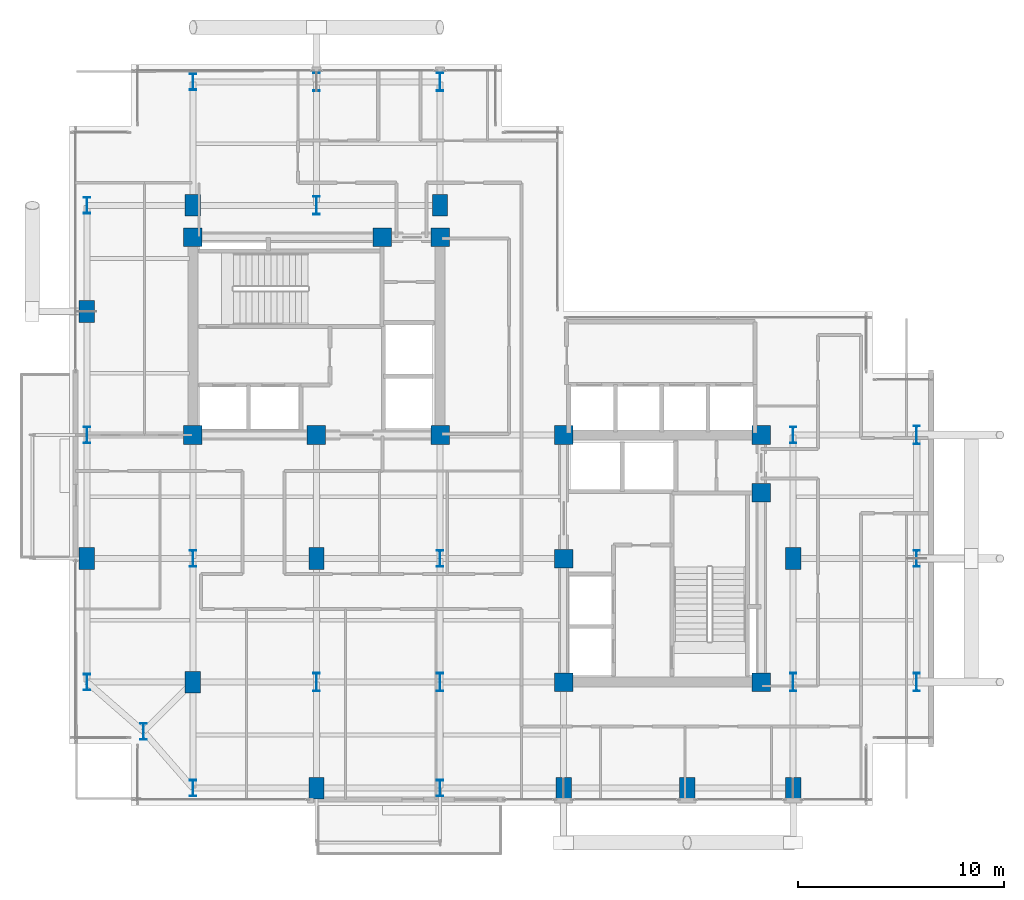
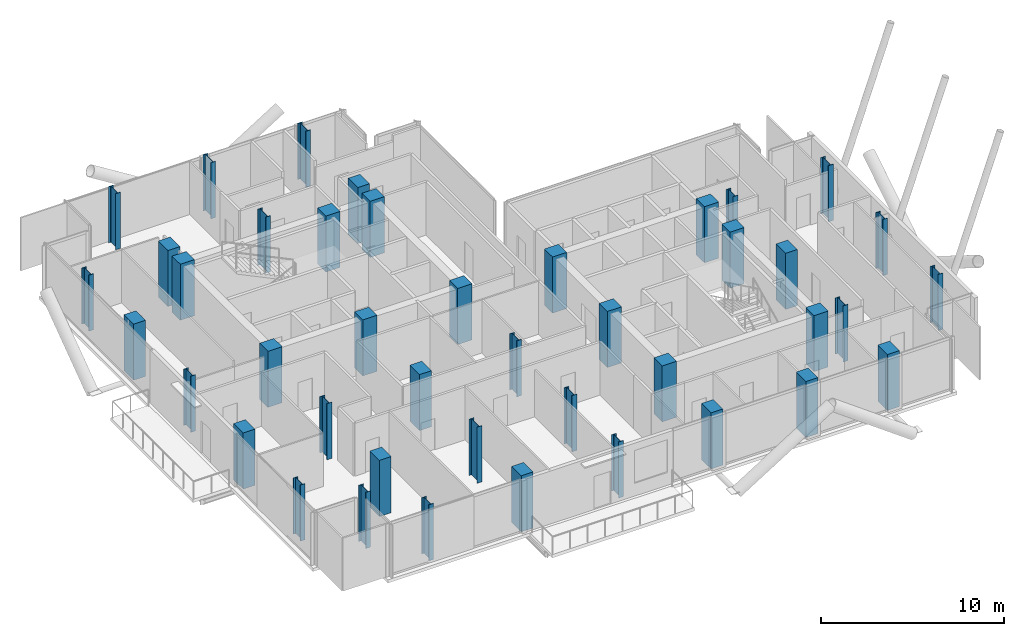
# One storey, part 1 of 22: 42 columns.
"""IFC4 building model written with IfcOpenShell, lengths in metres."""

from ifc_helpers import new_model, si_unit, direction, frame, origin, origin_2d, place, context, subcontext, project, spatial, rectangle, i_section, extrude, material, material_profile, profile_set, type_object, element, save


model = new_model("IFC4")

# Units and contexts
model_context = context("Model", 3, precision=1e-05, world=origin(), true_north=direction((0.0, 1.0)))
body_context = subcontext(model_context, "Body", "Model", "MODEL_VIEW")
ifc_project = project(units=[si_unit("LENGTHUNIT", "METRE"), si_unit("AREAUNIT", "SQUARE_METRE"), si_unit("VOLUMEUNIT", "CUBIC_METRE"), si_unit("PLANEANGLEUNIT", "RADIAN"), si_unit("MASSUNIT", "GRAM", prefix="KILO"), si_unit("THERMODYNAMICTEMPERATUREUNIT", "KELVIN"), si_unit("POWERUNIT", "WATT")], contexts=[model_context])

# Site, building, storey
site_placement = place(None, origin())
site = spatial("IfcSite", under=ifc_project, at=site_placement, CompositionType="ELEMENT")
building_placement = place(site_placement, origin())
building = spatial("IfcBuilding", under=site, at=building_placement, Name="Svarakhadi Broadcast Tower", CompositionType="ELEMENT")
storey_placement = place(building_placement, frame((0.0, 0.0, 191.699951171875)))
storey = spatial("IfcBuildingStorey", under=building, at=storey_placement, Name="L47", CompositionType="ELEMENT", Elevation=191.699951171875)

# Columns
ifc_material_1 = material(Name="Concrete C50/60 (IS 456 M60)", Category="concrete")
ifc_material_profile_1 = material_profile(ifc_material_1, rectangle(XDim=0.75, YDim=1.050048828125, at=origin_2d()), Name="RC 750x1050")
ifc_profile_set_1 = profile_set([ifc_material_profile_1], Name="Concrete C50/60 (IS 456 M60)")
column_type_1 = type_object("IfcColumnType", Name="Col_RC750", PredefinedType="COLUMN", material=ifc_profile_set_1)
for number, where, z_axis, x_axis, name in (
    (1, (0.85009765625, 12.0, 0.0), (0.0, 0.0, 1.0), (1.0, 0.0, 0.0), "L47 Column G04"),
    (2, (0.85009765625, 24.0, 0.0), (0.0, 0.0, 1.0), (1.0, 0.0, 0.0), "L47 Column G06"),
    (3, (6.0, 6.0, 0.0), (0.0, 0.0, 1.0), (1.0, 0.0, 0.0), "L47 Column G12"),
    (4, (6.0, 29.14990234375, 0.0), (0.0, 0.0, 1.0), (1.0, 0.0, 0.0), "L47 Column G14"),
    (5, (12.0, 0.85009765625, 0.0), (0.0, 0.0, 1.0), (1.0, 0.0, 0.0), "L47 Column G18"),
    (6, (12.0, 12.0, 0.0), (0.0, 0.0, 1.0), (1.0, 0.0, 0.0), "L47 Column G20"),
    (7, (18.0, 29.14990234375, 0.0), (0.0, 0.0, 1.0), (1.0, 0.0, 0.0), "L47 Column G28"),
    (8, (24.0, 0.85009765625, 0.0), (0.0, 0.0, 1.0), (1.0, 0.0, 0.0), "L47 Column G32"),
    (9, (30.0, 0.85009765625, 0.0), (0.0, 0.0, 1.0), (1.0, 0.0, 0.0), "L47 Column G36"),
    (10, (35.14990234375, 0.85009765625, 0.0), (0.0, 0.0, 1.0), (1.0, 0.0, 0.0), "L47 Column G38"),
    (11, (35.14990234375, 12.0, 0.0), (0.0, 0.0, 1.0), (1.0, 0.0, 0.0), "L47 Column G40"),
):
    element("IfcColumn", number, at=place(storey_placement, frame(where, z_axis=z_axis, x_axis=x_axis)), inside=storey, type_object=column_type_1, Name=name, PredefinedType="COLUMN", context=body_context, shape_type="SweptSolid", body=[
        extrude(rectangle(XDim=0.75, YDim=1.050048828125, at=origin_2d()), origin(), (0.0, 0.0, 1.0), 3.75),
    ])
ifc_material_profile_2 = material_profile(ifc_material_1, rectangle(XDim=0.89990234375, YDim=0.89990234375, at=origin_2d()), Name="RC 900x900")
ifc_profile_set_2 = profile_set([ifc_material_profile_2], Name="Concrete C50/60 (IS 456 M60)")
column_type_2 = type_object("IfcColumnType", Name="Col_RC900", PredefinedType="COLUMN", material=ifc_profile_set_2)
for number, where, z_axis, x_axis, name in (
    (12, (6.0, 18.0, 0.0), (0.0, 0.0, 1.0), (1.0, 0.0, 0.0), "L47 Column CW1"),
    (13, (12.0, 18.0, 0.0), (0.0, 0.0, 1.0), (1.0, 0.0, 0.0), "L47 Column CW2"),
    (14, (18.0, 18.0, 0.0), (0.0, 0.0, 1.0), (1.0, 0.0, 0.0), "L47 Column CW3"),
    (15, (6.0, 27.60009765625, 0.0), (0.0, 0.0, 1.0), (1.0, 0.0, 0.0), "L47 Column CW4"),
    (16, (15.199951171875, 27.60009765625, 0.0), (0.0, 0.0, 1.0), (1.0, 0.0, 0.0), "L47 Column CW5"),
    (17, (18.0, 27.60009765625, 0.0), (0.0, 0.0, 1.0), (1.0, 0.0, 0.0), "L47 Column CW6"),
    (18, (24.0, 6.0, 0.0), (0.0, 0.0, 1.0), (1.0, 0.0, 0.0), "L47 Column CE1"),
    (19, (24.0, 12.0, 0.0), (0.0, 0.0, 1.0), (1.0, 0.0, 0.0), "L47 Column CE2"),
    (20, (24.0, 18.0, 0.0), (0.0, 0.0, 1.0), (1.0, 0.0, 0.0), "L47 Column CE3"),
    (21, (33.60009765625, 6.0, 0.0), (0.0, 0.0, 1.0), (1.0, 0.0, 0.0), "L47 Column CE4"),
    (22, (33.60009765625, 15.199951171875, 0.0), (0.0, 0.0, 1.0), (1.0, 0.0, 0.0), "L47 Column CE5"),
    (23, (33.60009765625, 18.0, 0.0), (0.0, 0.0, 1.0), (1.0, 0.0, 0.0), "L47 Column CE6"),
):
    element("IfcColumn", number, at=place(storey_placement, frame(where, z_axis=z_axis, x_axis=x_axis)), inside=storey, type_object=column_type_2, Name=name, PredefinedType="COLUMN", context=body_context, shape_type="SweptSolid", body=[
        extrude(rectangle(XDim=0.89990234375, YDim=0.89990234375, at=origin_2d()), origin(), (0.0, 0.0, 1.0), 3.75),
    ])
ifc_material_2 = material(Name="Steel S460ML (IS 2062 E450BR)", Category="steel")
ifc_material_profile_3 = material_profile(ifc_material_2, i_section(OverallWidth=0.300048828125, OverallDepth=0.800048828125, WebThickness=0.017578125, FlangeThickness=0.032958984375, FilletRadius=0.030029296875, at=origin_2d()), Name="WPB 800x300x262")
ifc_profile_set_3 = profile_set([ifc_material_profile_3], Name="Steel S460ML (IS 2062 E450BR)")
column_type_3 = type_object("IfcColumnType", Name="Col_WPB800", PredefinedType="COLUMN", material=ifc_profile_set_3)
for number, where, z_axis, x_axis, name in (
    (24, (3.60009765625, 3.60009765625, 0.0), (0.0, 0.0, 1.0), (1.0, 0.0, 0.0), "L47 Column G01"),
    (25, (0.85009765625, 6.0, 0.0), (0.0, 0.0, 1.0), (1.0, 0.0, 0.0), "L47 Column G03"),
    (26, (0.85009765625, 18.0, 0.0), (0.0, 0.0, 1.0), (1.0, 0.0, 0.0), "L47 Column G05"),
    (27, (0.85009765625, 29.14990234375, 0.0), (0.0, 0.0, 1.0), (1.0, 0.0, 0.0), "L47 Column G07"),
    (28, (6.0, 0.85009765625, 0.0), (0.0, 0.0, 1.0), (1.0, 0.0, 0.0), "L47 Column G11"),
    (29, (6.0, 12.0, 0.0), (0.0, 0.0, 1.0), (1.0, 0.0, 0.0), "L47 Column G13"),
    (30, (6.0, 35.14990234375, 0.0), (0.0, 0.0, 1.0), (1.0, 0.0, 0.0), "L47 Column G15"),
    (31, (18.0, 0.85009765625, 0.0), (0.0, 0.0, 1.0), (1.0, 0.0, 0.0), "L47 Column G25"),
    (32, (18.0, 12.0, 0.0), (0.0, 0.0, 1.0), (1.0, 0.0, 0.0), "L47 Column G27"),
    (33, (35.14990234375, 18.0, 0.0), (0.0, 0.0, 1.0), (1.0, 0.0, 0.0), "L47 Column G41"),
    (34, (41.14990234375, 12.0, 0.0), (0.0, 0.0, 1.0), (1.0, 0.0, 0.0), "L47 Column G45"),
):
    element("IfcColumn", number, at=place(storey_placement, frame(where, z_axis=z_axis, x_axis=x_axis)), inside=storey, type_object=column_type_3, Name=name, PredefinedType="COLUMN", context=body_context, shape_type="SweptSolid", body=[
        extrude(i_section(OverallWidth=0.300048828125, OverallDepth=0.800048828125, WebThickness=0.017578125, FlangeThickness=0.032958984375, FilletRadius=0.030029296875, at=origin_2d()), origin(), (0.0, 0.0, 1.0), 3.75),
    ])
ifc_material_profile_4 = material_profile(ifc_material_2, i_section(OverallWidth=0.300048828125, OverallDepth=0.89990234375, WebThickness=0.0185546875, FlangeThickness=0.034912109375, FilletRadius=0.030029296875, at=origin_2d()), Name="WPB 900x300x291")
ifc_profile_set_4 = profile_set([ifc_material_profile_4], Name="Steel S460ML (IS 2062 E450BR)")
column_type_4 = type_object("IfcColumnType", Name="Col_WPB900", PredefinedType="COLUMN", material=ifc_profile_set_4)
for number, where, z_axis, x_axis, name in (
    (35, (12.0, 6.0, 0.0), (0.0, 0.0, 1.0), (1.0, 0.0, 0.0), "L47 Column G19"),
    (36, (12.0, 29.14990234375, 0.0), (0.0, 0.0, 1.0), (1.0, 0.0, 0.0), "L47 Column G21"),
    (37, (12.0, 35.14990234375, 0.0), (0.0, 0.0, 1.0), (1.0, 0.0, 0.0), "L47 Column G22"),
    (38, (18.0, 6.0, 0.0), (0.0, 0.0, 1.0), (1.0, 0.0, 0.0), "L47 Column G26"),
    (39, (18.0, 35.14990234375, 0.0), (0.0, 0.0, 1.0), (1.0, 0.0, 0.0), "L47 Column G29"),
    (40, (35.14990234375, 6.0, 0.0), (0.0, 0.0, 1.0), (1.0, 0.0, 0.0), "L47 Column G39"),
    (41, (41.14990234375, 6.0, 0.0), (0.0, 0.0, 1.0), (1.0, 0.0, 0.0), "L47 Column G44"),
    (42, (41.14990234375, 18.0, 0.0), (0.0, 0.0, 1.0), (1.0, 0.0, 0.0), "L47 Column G46"),
):
    element("IfcColumn", number, at=place(storey_placement, frame(where, z_axis=z_axis, x_axis=x_axis)), inside=storey, type_object=column_type_4, Name=name, PredefinedType="COLUMN", context=body_context, shape_type="SweptSolid", body=[
        extrude(i_section(OverallWidth=0.300048828125, OverallDepth=0.89990234375, WebThickness=0.0185546875, FlangeThickness=0.034912109375, FilletRadius=0.030029296875, at=origin_2d()), origin(), (0.0, 0.0, 1.0), 3.75),
    ])

save(model, "model.ifc")
